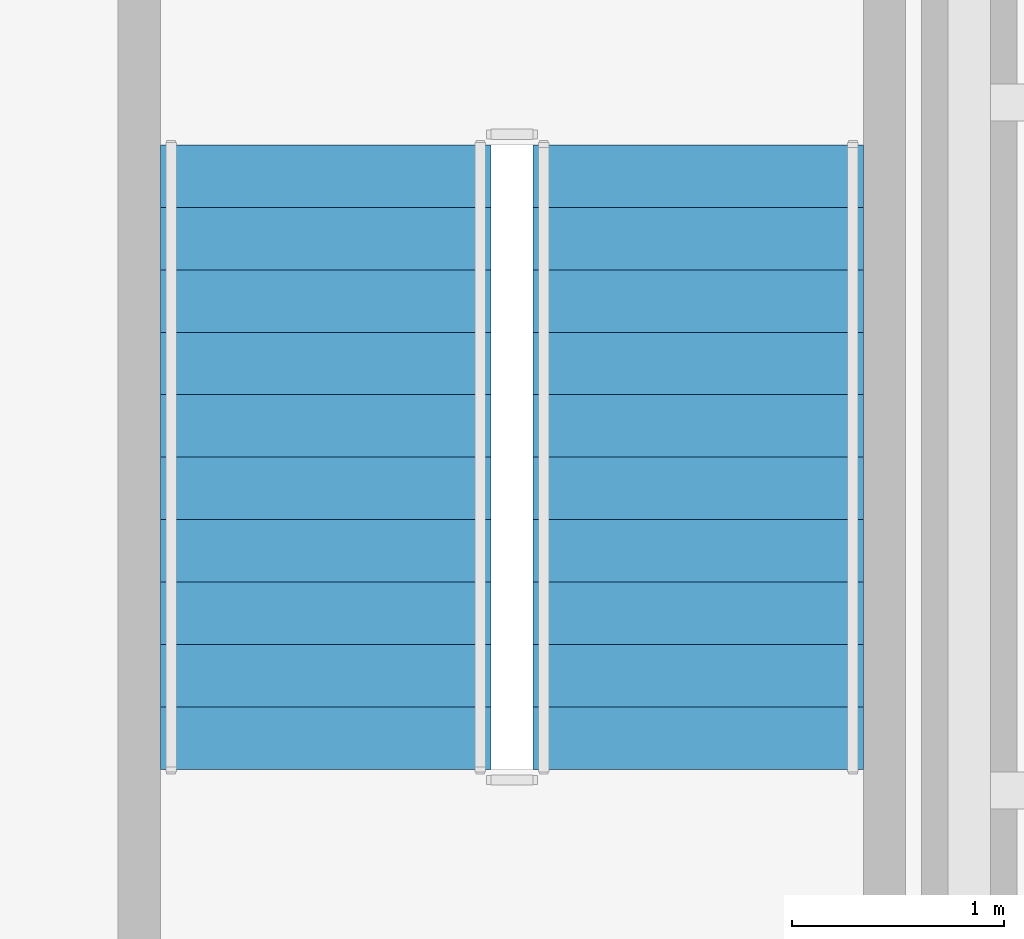
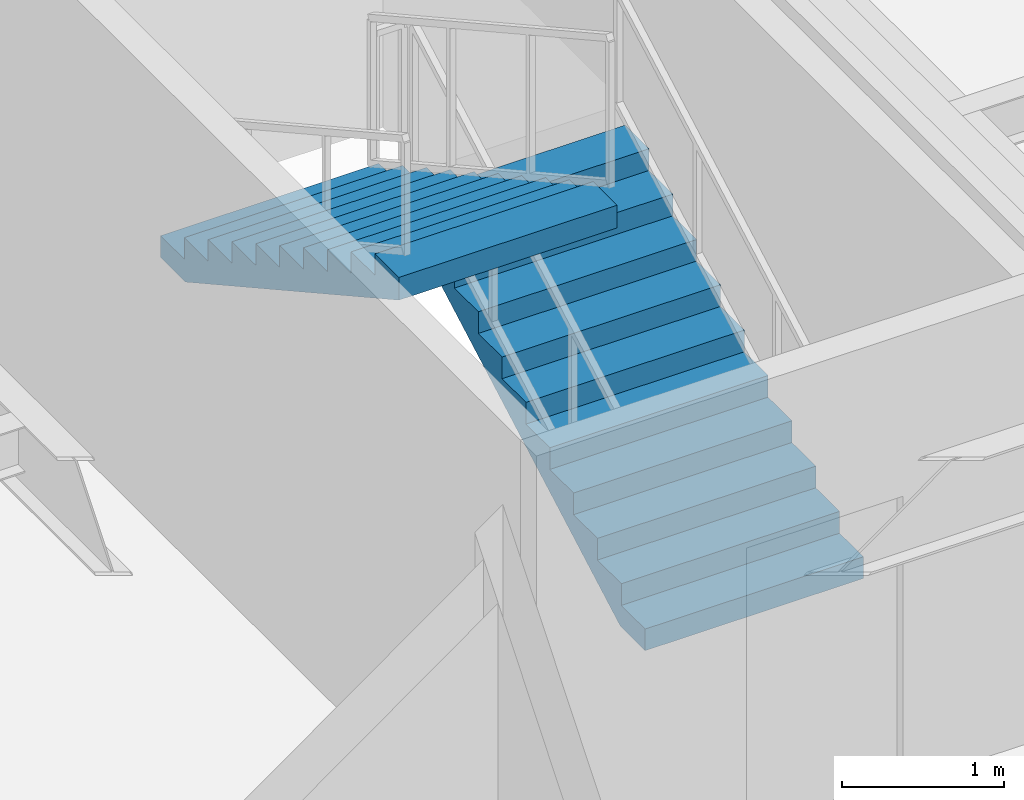
# One storey, part 25 of 27: 2 stair flights, 1 element without a shape of its own.
"""IFC4 building model written with IfcOpenShell, lengths in metres."""

from ifc_helpers import new_model, si_unit, direction, frame, origin, place, context, subcontext, project, spatial, polyline, outline, extrude, material, type_object, element, aggregate, save


model = new_model("IFC4")

# Units and contexts
model_context = context("Model", 3, precision=1e-05, world=origin(), true_north=direction((0.0, 1.0)))
body_context = subcontext(model_context, "Body", "Model", "MODEL_VIEW")
ifc_project = project(units=[si_unit("LENGTHUNIT", "METRE"), si_unit("AREAUNIT", "SQUARE_METRE"), si_unit("VOLUMEUNIT", "CUBIC_METRE"), si_unit("PLANEANGLEUNIT", "RADIAN"), si_unit("MASSUNIT", "GRAM", prefix="KILO")], contexts=[model_context])

# Site, building, storey
site_placement = place(None, origin())
site = spatial("IfcSite", under=ifc_project, at=site_placement, CompositionType="ELEMENT")
building_placement = place(site_placement, origin())
building = spatial("IfcBuilding", under=site, at=building_placement, Name="Brelmoor Portico Tower", CompositionType="ELEMENT")
storey_placement = place(building_placement, frame((0.0, 0.0, 250.800048828125)))
storey = spatial("IfcBuildingStorey", under=building, at=storey_placement, Name="L66", CompositionType="ELEMENT", Elevation=250.800048828125)

# Stair, stair flights
ifc_material = material(Name="Concrete C40", Category="concrete")
stair_type = type_object("IfcStairType", Name="ST-CORE-E", PredefinedType="HALF_TURN_STAIR", material=ifc_material)
stair_placement = place(storey_placement, origin())
stair = element("IfcStair", 1, at=stair_placement, inside=storey, type_object=stair_type, Name="L66 Protected Core Exit Stair ST-E", PredefinedType="HALF_TURN_STAIR")
stair_flight_type = type_object("IfcStairFlightType", Name="SF-CORE-1850", PredefinedType="STRAIGHT", material=ifc_material)
stair_flight_1_placement = place(storey_placement, frame((13.27001953125, 3.35009765625, 0.0), z_axis=(0.0, 0.0, 1.0), x_axis=(0.0, 1.0, 0.0)))
stair_flight_1 = element("IfcStairFlight", 2, at=stair_flight_1_placement, type_object=stair_flight_type, Name="ST-E flight 1", NumberOfRisers=11, NumberOfTreads=10, PredefinedType="STRAIGHT", RiserHeight=0.163636364, TreadLength=0.295, context=body_context, shape_type="SweptSolid", body=[
    extrude(outline(polyline([(0.0, 0.0), (0.0, 0.16357421875), (0.294921875, 0.16357421875), (0.294921875, 0.327392578125), (0.590087890625, 0.327392578125), (0.590087890625, 0.490966796875), (0.885009765625, 0.490966796875), (0.885009765625, 0.654541015625), (1.179931640625, 0.654541015625), (1.179931640625, 0.818115234375), (1.47509765625, 0.818115234375), (1.47509765625, 0.98193359375), (1.77001953125, 0.98193359375), (1.77001953125, 1.1455078125), (2.06494140625, 1.1455078125), (2.06494140625, 1.30908203125), (2.360107421875, 1.30908203125), (2.360107421875, 1.47265625), (2.655029296875, 1.47265625), (2.655029296875, 1.636474609375), (2.949951171875, 1.636474609375), (2.949951171875, 1.800048828125), (2.949951171875, 1.46484375), (0.30908203125, 0.0), (0.0, 0.0)])), frame((0.0, 0.780029296875, 0.0), z_axis=(0.0, -1.0, 0.0), x_axis=(1.0, 0.0, 0.0)), (0.0, 0.0, 1.0), 1.56005859375),
])
stair_flight_2_placement = place(storey_placement, frame((11.510009765625, 6.300048828125, 1.800048828125), z_axis=(0.0, 0.0, 1.0), x_axis=(0.0, -1.0, 0.0)))
stair_flight_2 = element("IfcStairFlight", 3, at=stair_flight_2_placement, type_object=stair_flight_type, Name="ST-E flight 2", NumberOfRisers=11, NumberOfTreads=10, PredefinedType="STRAIGHT", RiserHeight=0.163636364, TreadLength=0.295, context=body_context, shape_type="SweptSolid", body=[
    extrude(outline(polyline([(0.0, 0.0), (0.0, 0.16357421875), (0.294921875, 0.16357421875), (0.294921875, 0.327392578125), (0.590087890625, 0.327392578125), (0.590087890625, 0.490966796875), (0.885009765625, 0.490966796875), (0.885009765625, 0.654541015625), (1.179931640625, 0.654541015625), (1.179931640625, 0.818115234375), (1.47509765625, 0.818115234375), (1.47509765625, 0.98193359375), (1.77001953125, 0.98193359375), (1.77001953125, 1.1455078125), (2.06494140625, 1.1455078125), (2.06494140625, 1.30908203125), (2.360107421875, 1.30908203125), (2.360107421875, 1.47265625), (2.655029296875, 1.47265625), (2.655029296875, 1.636474609375), (2.949951171875, 1.636474609375), (2.949951171875, 1.800048828125), (2.949951171875, 1.46484375), (0.30908203125, 0.0), (0.0, 0.0)])), frame((0.0, 0.780029296875, 0.0), z_axis=(0.0, -1.0, 0.0), x_axis=(1.0, 0.0, 0.0)), (0.0, 0.0, 1.0), 1.56005859375),
])
aggregate(stair, [stair_flight_1, stair_flight_2])

save(model, "model.ifc")
